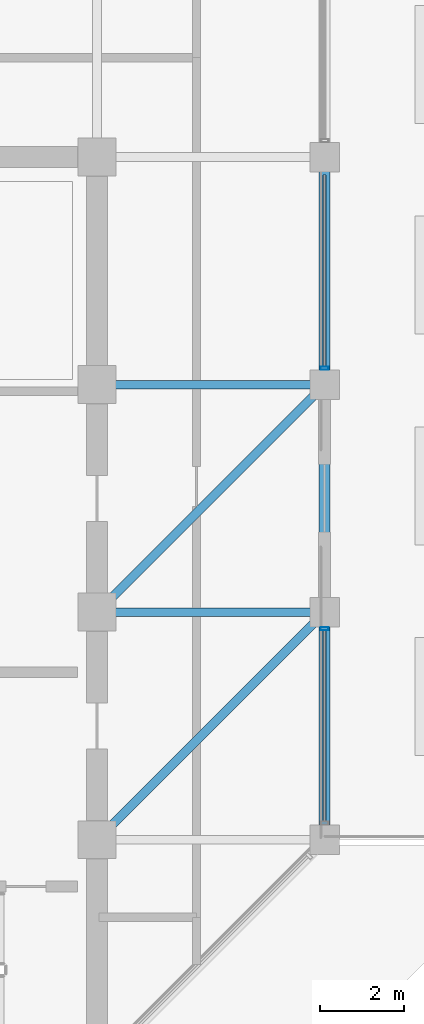
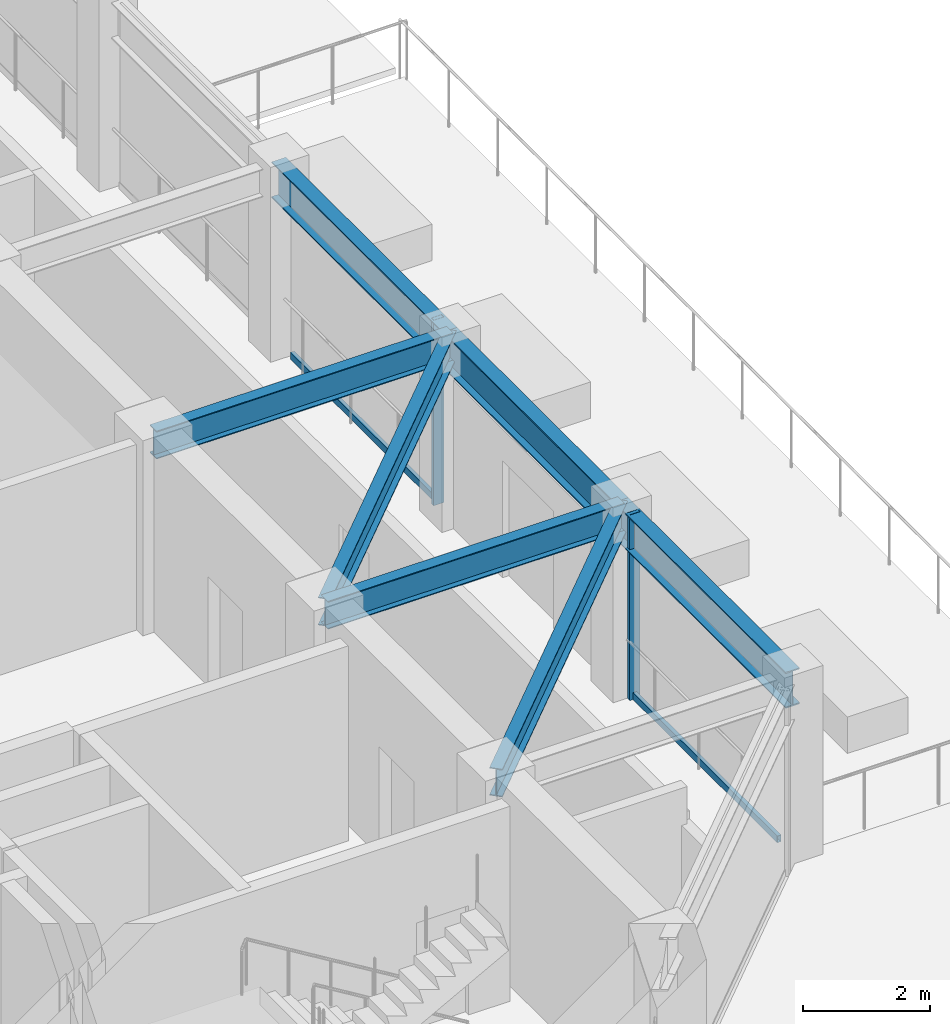
# One storey, part 13 of 34: 7 beams, 4 members, 2 elements without a shape of their own.
"""IFC4 building model written with IfcOpenShell, lengths in metres."""

from ifc_helpers import new_model, si_unit, direction, frame, origin, origin_2d, place, context, subcontext, project, spatial, hollow_rectangle, i_section, extrude, material, layer, layer_set, material_profile, profile_set, type_object, element, aggregate, save


model = new_model("IFC4")

# Units and contexts
model_context = context("Model", 3, precision=1e-05, world=origin(), true_north=direction((0.0, 1.0)))
body_context = subcontext(model_context, "Body", "Model", "MODEL_VIEW")
ifc_project = project(units=[si_unit("LENGTHUNIT", "METRE"), si_unit("AREAUNIT", "SQUARE_METRE"), si_unit("VOLUMEUNIT", "CUBIC_METRE"), si_unit("PLANEANGLEUNIT", "RADIAN"), si_unit("MASSUNIT", "GRAM", prefix="KILO")], contexts=[model_context])

# Site, building, storey
site_placement = place(None, origin())
site = spatial("IfcSite", under=ifc_project, at=site_placement, CompositionType="ELEMENT")
building_placement = place(site_placement, origin())
building = spatial("IfcBuilding", under=site, at=building_placement, Name="Surkhivell Harbour Commons", CompositionType="ELEMENT")
storey_placement = place(building_placement, frame((0.0, 0.0, 258.75)))
storey = spatial("IfcBuildingStorey", under=building, at=storey_placement, Name="L67", CompositionType="ELEMENT", Elevation=258.75)

# Beams
ifc_material_1 = material(Name="Steel S355", Category="steel")
ifc_material_profile_1 = material_profile(ifc_material_1, i_section(OverallWidth=0.2099609375, OverallDepth=0.537109375, WebThickness=0.0107421875, FlangeThickness=0.017333984375, at=origin_2d()), Name="UB533x210x101")
ifc_profile_set_1 = profile_set([ifc_material_profile_1], Name="Steel S355")
beam_type_1 = type_object("IfcBeamType", Name="BM-GRD-533B", PredefinedType="BEAM", material=ifc_profile_set_1)
beam_1_placement = place(storey_placement, frame((10.800048828125, -5.39990234375, 3.301513671875), z_axis=(0.707106781187, 0.707106781187, 0.0), x_axis=(-0.707106781187, 0.707106781187, 0.0)))
element("IfcBeam", 1, at=beam_1_placement, inside=storey, type_object=beam_type_1, Name="L67 Floor Girder (10.8,-5.4)", PredefinedType="BEAM", context=body_context, shape_type="SweptSolid", body=[
    extrude(i_section(OverallWidth=0.2099609375, OverallDepth=0.537109375, WebThickness=0.0107421875, FlangeThickness=0.017333984375, at=origin_2d()), origin(), (0.0, 0.0, 1.0), 7.63671875),
])
beam_2_placement = place(storey_placement, frame((10.800048828125, 0.0, 3.301513671875), z_axis=(1.0, 0.0, 0.0), x_axis=(0.0, 1.0, 0.0)))
element("IfcBeam", 2, at=beam_2_placement, inside=storey, type_object=beam_type_1, Name="L67 Floor Girder (10.8,0.0)", PredefinedType="BEAM", context=body_context, shape_type="SweptSolid", body=[
    extrude(i_section(OverallWidth=0.2099609375, OverallDepth=0.537109375, WebThickness=0.0107421875, FlangeThickness=0.017333984375, at=origin_2d()), origin(), (0.0, 0.0, 1.0), 5.39990234375),
])
beam_3_placement = place(storey_placement, frame((10.800048828125, 0.0, 3.301513671875), z_axis=(0.707106781187, 0.707106781187, 0.0), x_axis=(-0.707106781187, 0.707106781187, 0.0)))
element("IfcBeam", 3, at=beam_3_placement, inside=storey, type_object=beam_type_1, Name="L67 Floor Girder (10.8,0.0)", PredefinedType="BEAM", context=body_context, shape_type="SweptSolid", body=[
    extrude(i_section(OverallWidth=0.2099609375, OverallDepth=0.537109375, WebThickness=0.0107421875, FlangeThickness=0.017333984375, at=origin_2d()), origin(), (0.0, 0.0, 1.0), 7.63671875),
])
beam_4_placement = place(storey_placement, frame((10.800048828125, 5.39990234375, 3.301513671875), z_axis=(1.0, 0.0, 0.0), x_axis=(0.0, 1.0, 0.0)))
element("IfcBeam", 4, at=beam_4_placement, inside=storey, type_object=beam_type_1, Name="L67 Floor Girder (10.8,5.4)", PredefinedType="BEAM", context=body_context, shape_type="SweptSolid", body=[
    extrude(i_section(OverallWidth=0.2099609375, OverallDepth=0.537109375, WebThickness=0.0107421875, FlangeThickness=0.017333984375, at=origin_2d()), origin(), (0.0, 0.0, 1.0), 5.39990234375),
])
ifc_material_profile_2 = material_profile(ifc_material_1, i_section(OverallWidth=0.256103515625, OverallDepth=0.693115234375, WebThickness=0.014404296875, FlangeThickness=0.023681640625, at=origin_2d()), Name="UB686x254x170")
ifc_profile_set_2 = profile_set([ifc_material_profile_2], Name="Steel S355")
beam_type_2 = type_object("IfcBeamType", Name="BM-SPN-686", PredefinedType="SPANDREL", material=ifc_profile_set_2)
for number, where, z_axis, x_axis, name in (
    (5, (16.199951171875, -5.39990234375, 3.223388671875), (0.0, 1.0, 0.0), (-1.0, 0.0, 0.0), "L67 Tube Spandrel (16.2,-5.4)"),
    (6, (16.199951171875, 0.0, 3.223388671875), (0.0, 1.0, 0.0), (-1.0, 0.0, 0.0), "L67 Tube Spandrel (16.2,0.0)"),
):
    element("IfcBeam", number, at=place(storey_placement, frame(where, z_axis=z_axis, x_axis=x_axis)), inside=storey, type_object=beam_type_2, Name=name, PredefinedType="SPANDREL", context=body_context, shape_type="SweptSolid", body=[
        extrude(i_section(OverallWidth=0.256103515625, OverallDepth=0.693115234375, WebThickness=0.014404296875, FlangeThickness=0.023681640625, at=origin_2d()), origin(), (0.0, 0.0, 1.0), 5.39990234375),
    ])
beam_5_placement = place(storey_placement, frame((16.199951171875, 5.39990234375, 3.223388671875), z_axis=(0.0, 1.0, 0.0), x_axis=(-1.0, 0.0, 0.0)))
element("IfcBeam", 7, at=beam_5_placement, inside=storey, type_object=beam_type_2, Name="L67 Tube Spandrel (16.2,5.4)", PredefinedType="SPANDREL", context=body_context, shape_type="SweptSolid", body=[
    extrude(i_section(OverallWidth=0.256103515625, OverallDepth=0.693115234375, WebThickness=0.014404296875, FlangeThickness=0.023681640625, at=origin_2d()), origin(), (0.0, 0.0, 1.0), 5.400146484375),
])

# Curtain wall, member
ifc_material_2 = material(Name="Anodised pale-metal aluminium and insulated glazing", Category="aluminium")
ifc_layer = layer(ifc_material_2, 0.175048828125)
ifc_layer_set = layer_set([ifc_layer], Name="Anodised pale-metal aluminium and insulated glazing")
curtain_wall_type = type_object("IfcCurtainWallType", Name="CW-SYS-Z4", PredefinedType="NOTDEFINED", material=ifc_layer_set)
curtain_wall_1_placement = place(storey_placement, origin())
curtain_wall_1 = element("IfcCurtainWall", 8, at=curtain_wall_1_placement, inside=storey, type_object=curtain_wall_type, Name="L67 Curtain Wall CW-L67-E02A", PredefinedType="NOTDEFINED")
ifc_material_3 = material(Name="Anodised pale-metal aluminium alloy 6063-T6", Category="aluminium")
ifc_material_profile_3 = material_profile(ifc_material_3, hollow_rectangle(XDim=0.074951171875, YDim=0.18994140625, WallThickness=0.00390625, at=origin_2d()), Name="ALU-MULL-75x190")
ifc_profile_set_3 = profile_set([ifc_material_profile_3], Name="Anodised pale-metal aluminium alloy 6063-T6")
member_type_1 = type_object("IfcMemberType", Name="CWM-190", PredefinedType="MULLION", material=ifc_profile_set_3)
member_1_placement = place(storey_placement, frame((16.199951171875, -0.389404296875, 0.0), z_axis=(0.0, 0.0, 1.0), x_axis=(0.0, 1.0, 0.0)))
member_1 = element("IfcMember", 9, at=member_1_placement, type_object=member_type_1, Name="CW-Z4 mullion 2", PredefinedType="MULLION", context=body_context, shape_type="SweptSolid", body=[
    extrude(hollow_rectangle(XDim=0.074951171875, YDim=0.18994140625, WallThickness=0.00390625, at=origin_2d()), origin(), (0.0, 0.0, 1.0), 3.570068359375),
])

curtain_wall_2_placement = place(storey_placement, origin())
curtain_wall_2 = element("IfcCurtainWall", 10, at=curtain_wall_2_placement, inside=storey, type_object=curtain_wall_type, Name="L67 Curtain Wall CW-L67-E02B", PredefinedType="NOTDEFINED")
member_2_placement = place(storey_placement, frame((16.199951171875, 5.78955078125, 0.0), z_axis=(0.0, 0.0, 1.0), x_axis=(0.0, 1.0, 0.0)))
member_2 = element("IfcMember", 11, at=member_2_placement, type_object=member_type_1, Name="CW-Z4 mullion 1", PredefinedType="MULLION", context=body_context, shape_type="SweptSolid", body=[
    extrude(hollow_rectangle(XDim=0.074951171875, YDim=0.18994140625, WallThickness=0.00390625, at=origin_2d()), origin(), (0.0, 0.0, 1.0), 3.570068359375),
])

# Member
ifc_material_4 = material(Name="Champagne anodised aluminium alloy 6063-T6", Category="aluminium")
ifc_material_profile_4 = material_profile(ifc_material_4, hollow_rectangle(XDim=0.070068359375, YDim=0.1298828125, WallThickness=0.00341796875, at=origin_2d()), Name="ALU-TRAN-70x130")
ifc_profile_set_4 = profile_set([ifc_material_profile_4], Name="Champagne anodised aluminium alloy 6063-T6")
member_type_2 = type_object("IfcMemberType", Name="CWT-130", PredefinedType="USERDEFINED", material=ifc_profile_set_4)
member_3_placement = place(storey_placement, frame((16.199951171875, -4.972900390625, 0.06494140625), z_axis=(0.0, 1.0, 0.0), x_axis=(-1.0, 0.0, 0.0)))
member_3 = element("IfcMember", 12, at=member_3_placement, type_object=member_type_2, Name="CW-Z4 transom 1.1", ObjectType="TRANSOM", PredefinedType="USERDEFINED", context=body_context, shape_type="SweptSolid", body=[
    extrude(hollow_rectangle(XDim=0.070068359375, YDim=0.1298828125, WallThickness=0.00341796875, at=origin_2d()), origin(), (0.0, 0.0, 1.0), 4.5458984375),
])

aggregate(curtain_wall_1, [member_1, member_3])

member_4_placement = place(storey_placement, frame((16.199951171875, 5.826904296875, 0.06494140625), z_axis=(0.0, 1.0, 0.0), x_axis=(-1.0, 0.0, 0.0)))
member_4 = element("IfcMember", 13, at=member_4_placement, type_object=member_type_2, Name="CW-Z4 transom 1.1", ObjectType="TRANSOM", PredefinedType="USERDEFINED", context=body_context, shape_type="SweptSolid", body=[
    extrude(hollow_rectangle(XDim=0.070068359375, YDim=0.1298828125, WallThickness=0.00341796875, at=origin_2d()), origin(), (0.0, 0.0, 1.0), 4.546142578125),
])

aggregate(curtain_wall_2, [member_2, member_4])

save(model, "model.ifc")
